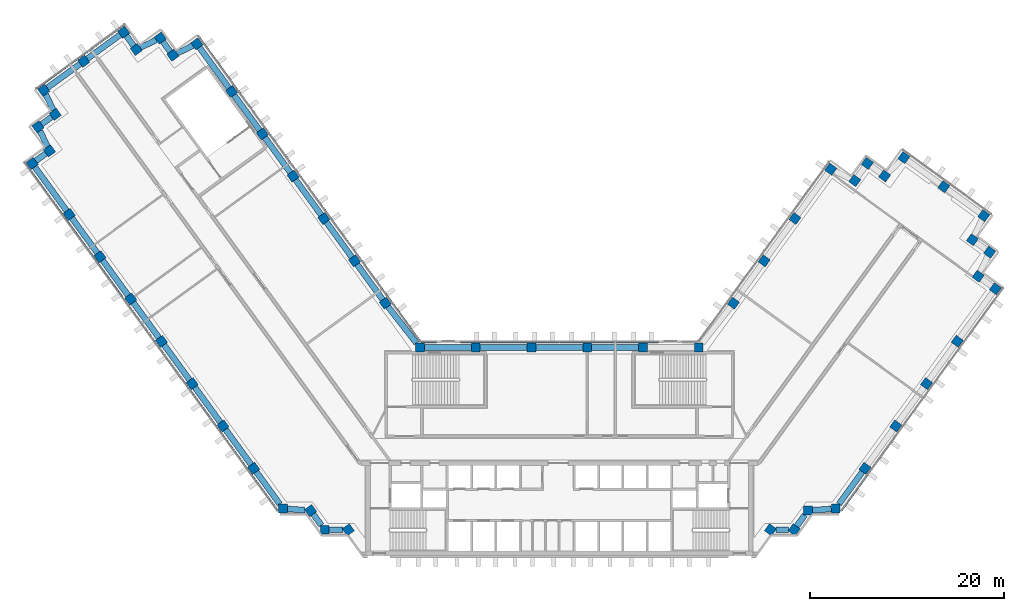
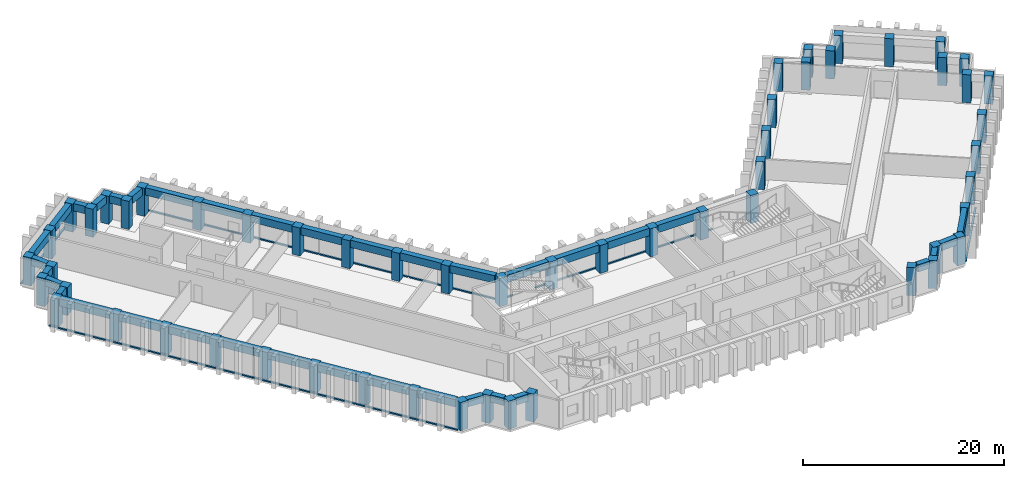
"""IFC4 building model written with IfcOpenShell, lengths in metres."""

from ifc_helpers import new_model, si_unit, direction, frame, origin, origin_2d, place, context, subcontext, project, spatial, rectangle, extrude, material, material_profile, profile_set, type_object, element, aggregate, save


model = new_model("IFC4")

# Units and contexts
model_context = context("Model", 3, precision=1e-05, world=origin(), true_north=direction((0.0, 1.0)))
body_context = subcontext(model_context, "Body", "Model", "MODEL_VIEW")
ifc_project = project(units=[si_unit("LENGTHUNIT", "METRE"), si_unit("AREAUNIT", "SQUARE_METRE"), si_unit("VOLUMEUNIT", "CUBIC_METRE"), si_unit("PLANEANGLEUNIT", "RADIAN"), si_unit("MASSUNIT", "GRAM", prefix="KILO")], contexts=[model_context])

# Site, building, storey
site_placement = place(None, origin())
site = spatial("IfcSite", under=ifc_project, at=site_placement, CompositionType="ELEMENT")
building_placement = place(site_placement, origin())
building = spatial("IfcBuilding", under=site, at=building_placement, Name="Quipu Civic Tower", CompositionType="ELEMENT")
storey_1_placement = place(building_placement, frame((0.0, 0.0, 129.0)))
storey_1 = spatial("IfcBuildingStorey", under=building, at=storey_1_placement, Name="L30", CompositionType="ELEMENT", Elevation=129.0)

# Columns
ifc_material_1 = material(Name="Concrete C60/75", Category="concrete")
ifc_material_profile_1 = material_profile(ifc_material_1, rectangle(XDim=0.89990234375, YDim=0.89990234375, at=origin_2d()), Name="RC900x900")
ifc_profile_set_1 = profile_set([ifc_material_profile_1], Name="Concrete C60/75")
column_type = type_object("IfcColumnType", Name="Perimeter column RC 900x900 C60/75", PredefinedType="COLUMN", material=ifc_profile_set_1)
for number, where, z_axis, x_axis, name in (
    (1, (-17.9736328125, 15.074951171875, 0.0), (0.0, 0.0, 1.0), (-0.587785252292, 0.809016994375, 0.0), "Column L30 W-IN-01"),
    (2, (-21.1474609375, 19.44384765625, 0.0), (0.0, 0.0, 1.0), (-0.587785252292, 0.809016994375, 0.0), "Column L30 W-IN-02"),
    (3, (-24.3212890625, 23.8125, 0.0), (0.0, 0.0, 1.0), (-0.587785252292, 0.809016994375, 0.0), "Column L30 W-IN-03"),
    (4, (-27.4951171875, 28.181396484375, 0.0), (0.0, 0.0, 1.0), (-0.587785252292, 0.809016994375, 0.0), "Column L30 W-IN-04"),
    (5, (-30.6689453125, 32.55029296875, 0.0), (0.0, 0.0, 1.0), (-0.587785252292, 0.809016994375, 0.0), "Column L30 W-IN-05"),
    (6, (-33.843017578125, 36.919189453125, 0.0), (0.0, 0.0, 1.0), (-0.587785252292, 0.809016994375, 0.0), "Column L30 W-IN-06"),
    (7, (-37.425048828125, 41.85009765625, 0.0), (0.0, 0.0, 1.0), (-0.587785252292, 0.809016994375, 0.0), "Column L30 T-Wi.0-W50"),
    (8, (-39.905517578125, 40.666015625, 0.0), (0.0, 0.0, 1.0), (-0.587785252292, 0.809016994375, 0.0), "Column L30 T-Wi.1-W50"),
    (9, (-41.199951171875, 42.445068359375, 0.0), (0.0, 0.0, 1.0), (-0.587785252292, 0.809016994375, 0.0), "Column L30 T-Wi.2-W50"),
    (10, (-43.674560546875, 41.264892578125, 0.0), (0.0, 0.0, 1.0), (-0.809016994375, -0.587785252292, 0.0), "Column L30 T-Wi.3-W50"),
    (11, (-44.969970703125, 43.044921875, 0.0), (0.0, 0.0, 1.0), (-0.809016994375, -0.587785252292, 0.0), "Column L30 T-Wi.4-W50"),
    (12, (-49.095703125, 40.046875, 0.0), (0.0, 0.0, 1.0), (-0.809016994375, -0.587785252292, 0.0), "Column L30 TIP-W-01-W50"),
    (13, (-53.219970703125, 37.050048828125, 0.0), (0.0, 0.0, 1.0), (0.587785252292, -0.809016994375, 0.0), "Column L30 T-Wo.0-W50"),
    (14, (-52.038818359375, 34.571044921875, 0.0), (0.0, 0.0, 1.0), (-0.809016994375, -0.587785252292, 0.0), "Column L30 T-Wo.1-W50"),
    (15, (-53.820068359375, 33.27490234375, 0.0), (0.0, 0.0, 1.0), (0.587785252292, -0.809016994375, 0.0), "Column L30 T-Wo.2-W50"),
    (16, (-52.635986328125, 30.799560546875, 0.0), (0.0, 0.0, 1.0), (-0.809016994375, -0.587785252292, 0.0), "Column L30 T-Wo.3-W50"),
    (17, (-54.4150390625, 29.5048828125, 0.0), (0.0, 0.0, 1.0), (0.587785252292, -0.809016994375, 0.0), "Column L30 T-Wo.4-W50"),
    (18, (-50.59228515625, 24.243408203125, 0.0), (0.0, 0.0, 1.0), (0.587785252292, -0.809016994375, 0.0), "Column L30 W-OUT-07"),
    (19, (-47.41845703125, 19.874755859375, 0.0), (0.0, 0.0, 1.0), (0.587785252292, -0.809016994375, 0.0), "Column L30 W-OUT-06"),
    (20, (-44.244384765625, 15.506103515625, 0.0), (0.0, 0.0, 1.0), (0.587785252292, -0.809016994375, 0.0), "Column L30 W-OUT-05"),
    (21, (-41.0703125, 11.137451171875, 0.0), (0.0, 0.0, 1.0), (0.587785252292, -0.809016994375, 0.0), "Column L30 W-OUT-04"),
    (22, (-37.896240234375, 6.768798828125, 0.0), (0.0, 0.0, 1.0), (0.587785252292, -0.809016994375, 0.0), "Column L30 W-OUT-03"),
    (23, (-34.722412109375, 2.39990234375, 0.0), (0.0, 0.0, 1.0), (0.587785252292, -0.809016994375, 0.0), "Column L30 W-OUT-02"),
    (24, (-31.54833984375, -1.96875, 0.0), (0.0, 0.0, 1.0), (0.587785252292, -0.809016994375, 0.0), "Column L30 W-OUT-01"),
    (25, (-28.52490234375, -6.1298828125, 0.0), (0.0, 0.0, 1.0), (1.0, 0.0, 0.0), "Column L30 J-Wo.0"),
    (26, (-25.67431640625, -6.3369140625, 0.0), (0.0, 0.0, 1.0), (0.587785252292, -0.809016994375, 0.0), "Column L30 J-Wo.1"),
    (27, (-24.235107421875, -8.31494140625, 0.0), (0.0, 0.0, 1.0), (1.0, 0.0, 0.0), "Column L30 J-Wo.2"),
    (28, (-21.791748046875, -8.31494140625, 0.0), (0.0, 0.0, 1.0), (0.587785252292, -0.809016994375, 0.0), "Column L30 J-Wo.3"),
    (29, (21.791748046875, -8.31494140625, 0.0), (0.0, 0.0, 1.0), (0.587785252292, 0.809016994375, 0.0), "Column L30 J-Eo.1"),
    (30, (24.235107421875, -8.31494140625, 0.0), (0.0, 0.0, 1.0), (0.587785252292, 0.809016994375, 0.0), "Column L30 J-Eo.2"),
    (31, (25.67431640625, -6.3369140625, 0.0), (0.0, 0.0, 1.0), (1.0, 0.0, 0.0), "Column L30 J-Eo.3"),
    (32, (28.52490234375, -6.1298828125, 0.0), (0.0, 0.0, 1.0), (1.0, 0.0, 0.0), "Column L30 J-Eo.4"),
    (33, (31.54833984375, -1.96875, 0.0), (0.0, 0.0, 1.0), (0.587785252292, 0.809016994375, 0.0), "Column L30 E-OUT-01"),
    (34, (34.722412109375, 2.39990234375, 0.0), (0.0, 0.0, 1.0), (0.587785252292, 0.809016994375, 0.0), "Column L30 E-OUT-02"),
    (35, (37.896240234375, 6.768798828125, 0.0), (0.0, 0.0, 1.0), (0.587785252292, 0.809016994375, 0.0), "Column L30 E-OUT-03"),
    (36, (41.0703125, 11.137451171875, 0.0), (0.0, 0.0, 1.0), (0.587785252292, 0.809016994375, 0.0), "Column L30 E-OUT-04"),
    (37, (45.010009765625, 16.56005859375, 0.0), (0.0, 0.0, 1.0), (0.587785252292, 0.809016994375, 0.0), "Column L30 T-Eo.0-E34"),
    (38, (43.23095703125, 17.8544921875, 0.0), (0.0, 0.0, 1.0), (0.587785252292, 0.809016994375, 0.0), "Column L30 T-Eo.1-E34"),
    (39, (44.4150390625, 20.3349609375, 0.0), (0.0, 0.0, 1.0), (0.587785252292, 0.809016994375, 0.0), "Column L30 T-Eo.2-E34"),
    (40, (42.635009765625, 21.626220703125, 0.0), (0.0, 0.0, 1.0), (-0.809016994375, 0.587785252292, 0.0), "Column L30 T-Eo.3-E34"),
    (41, (43.81494140625, 24.10498046875, 0.0), (0.0, 0.0, 1.0), (-0.809016994375, 0.587785252292, 0.0), "Column L30 T-Eo.4-E34"),
    (42, (39.690673828125, 27.10205078125, 0.0), (0.0, 0.0, 1.0), (-0.809016994375, 0.587785252292, 0.0), "Column L30 TIP-E-01-E34"),
    (43, (35.56494140625, 30.10009765625, 0.0), (0.0, 0.0, 1.0), (-0.587785252292, -0.809016994375, 0.0), "Column L30 T-Ei.0-E34"),
    (44, (33.573974609375, 28.20947265625, 0.0), (0.0, 0.0, 1.0), (-0.809016994375, 0.587785252292, 0.0), "Column L30 T-Ei.1-E34"),
    (45, (31.794921875, 29.5, 0.0), (0.0, 0.0, 1.0), (-0.587785252292, -0.809016994375, 0.0), "Column L30 T-Ei.2-E34"),
    (46, (30.498779296875, 27.72265625, 0.0), (0.0, 0.0, 1.0), (-0.809016994375, 0.587785252292, 0.0), "Column L30 T-Ei.3-E34"),
    (47, (28.02001953125, 28.905029296875, 0.0), (0.0, 0.0, 1.0), (-0.809016994375, 0.587785252292, 0.0), "Column L30 T-Ei.4-E34"),
    (48, (24.3212890625, 23.8125, 0.0), (0.0, 0.0, 1.0), (-0.587785252292, -0.809016994375, 0.0), "Column L30 E-IN-03"),
    (49, (21.1474609375, 19.44384765625, 0.0), (0.0, 0.0, 1.0), (-0.587785252292, -0.809016994375, 0.0), "Column L30 E-IN-02"),
    (50, (17.9736328125, 15.074951171875, 0.0), (0.0, 0.0, 1.0), (-0.587785252292, -0.809016994375, 0.0), "Column L30 E-IN-01"),
    (51, (14.395263671875, 10.5, 0.0), (0.0, 0.0, 1.0), (-1.0, 0.0, 0.0), "Column L30 J-Ei.0"),
    (52, (8.63720703125, 10.5, 0.0), (0.0, 0.0, 1.0), (-1.0, 0.0, 0.0), "Column L30 FRONT-01"),
    (53, (2.87890625, 10.5, 0.0), (0.0, 0.0, 1.0), (-1.0, 0.0, 0.0), "Column L30 FRONT-02"),
    (54, (-2.87890625, 10.5, 0.0), (0.0, 0.0, 1.0), (-1.0, 0.0, 0.0), "Column L30 FRONT-03"),
    (55, (-8.63720703125, 10.5, 0.0), (0.0, 0.0, 1.0), (-1.0, 0.0, 0.0), "Column L30 FRONT-04"),
    (56, (-14.395263671875, 10.5, 0.0), (0.0, 0.0, 1.0), (-1.0, 0.0, 0.0), "Column L30 J-Wi.0"),
):
    element("IfcColumn", number, at=place(storey_1_placement, frame(where, z_axis=z_axis, x_axis=x_axis)), inside=storey_1, type_object=column_type, Name=name, PredefinedType="COLUMN", context=body_context, shape_type="SweptSolid", body=[
        extrude(rectangle(XDim=0.89990234375, YDim=0.89990234375, at=origin_2d()), origin(), (0.0, 0.0, 1.0), 3.39990234375),
    ])

# Beams
ifc_material_2 = material(Name="Concrete C50/60", Category="concrete")
ifc_material_profile_2 = material_profile(ifc_material_2, rectangle(XDim=0.60009765625, YDim=0.89990234375, at=origin_2d()), Name="RC600x900")
ifc_profile_set_2 = profile_set([ifc_material_profile_2], Name="Concrete C50/60")
beam_type = type_object("IfcBeamType", Name="Spandrel beam RC 600x900 C50/60", PredefinedType="SPANDREL", material=ifc_profile_set_2)
for number, where, z_axis, x_axis, name in (
    (57, (-18.238037109375, 15.43896484375, 2.949951171875), (-0.587716763865, 0.809066749701, 0.0), (-0.809066749701, -0.587716763865, 0.0), "Spandrel beam L30 W-IN-01 to W-IN-02"),
    (58, (-21.411865234375, 19.807861328125, 2.949951171875), (-0.587778073121, 0.809022210299, 0.0), (-0.809022210299, -0.587778073121, 0.0), "Spandrel beam L30 W-IN-02 to W-IN-03"),
    (59, (-24.585693359375, 24.1767578125, 2.949951171875), (-0.587778073121, 0.809022210299, 0.0), (-0.809022210299, -0.587778073121, 0.0), "Spandrel beam L30 W-IN-03 to W-IN-04"),
    (60, (-27.759765625, 28.545654296875, 2.949951171875), (-0.587742561851, 0.809048009076, 0.0), (-0.809048009076, -0.587742561851, 0.0), "Spandrel beam L30 W-IN-04 to W-IN-05"),
    (61, (-30.93359375, 32.914306640625, 2.949951171875), (-0.587716763865, 0.809066749701, 0.0), (-0.809066749701, -0.587716763865, 0.0), "Spandrel beam L30 W-IN-05 to W-IN-06"),
):
    element("IfcBeam", number, at=place(storey_1_placement, frame(where, z_axis=z_axis, x_axis=x_axis)), inside=storey_1, type_object=beam_type, Name=name, PredefinedType="SPANDREL", context=body_context, shape_type="SweptSolid", body=[
        extrude(rectangle(XDim=0.60009765625, YDim=0.89990234375, at=origin_2d()), origin(), (0.0, 0.0, 1.0), 4.5),
    ])
beam_1_placement = place(storey_1_placement, frame((-34.107421875, 37.283203125, 2.949951171875), z_axis=(-0.587732861365, 0.80905505602, 0.0), x_axis=(-0.80905505602, -0.587732861365, 0.0)))
element("IfcBeam", 62, at=beam_1_placement, inside=storey_1, type_object=beam_type, Name="Spandrel beam L30 W-IN-06 to T-Wi.0-W50", PredefinedType="SPANDREL", context=body_context, shape_type="SweptSolid", body=[
    extrude(rectangle(XDim=0.60009765625, YDim=0.89990234375, at=origin_2d()), origin(), (0.0, 0.0, 1.0), 5.194580078125),
])
beam_2_placement = place(storey_1_placement, frame((-37.837890625, 41.65283203125, 2.949951171875), z_axis=(-0.90245397739, -0.430786279601, 0.0), x_axis=(0.430786279601, -0.90245397739, 0.0)))
element("IfcBeam", 63, at=beam_2_placement, inside=storey_1, type_object=beam_type, Name="Spandrel beam L30 T-Wi.0-W50 to T-Wi.1-W50", PredefinedType="SPANDREL", context=body_context, shape_type="SweptSolid", body=[
    extrude(rectangle(XDim=0.60009765625, YDim=0.89990234375, at=origin_2d()), origin(), (0.0, 0.0, 1.0), 1.83349609375),
])
beam_3_placement = place(storey_1_placement, frame((-40.170166015625, 41.02978515625, 2.949951171875), z_axis=(-0.588461937499, 0.808524921146, 0.0), x_axis=(-0.808524921146, -0.588461937499, 0.0)))
element("IfcBeam", 64, at=beam_3_placement, inside=storey_1, type_object=beam_type, Name="Spandrel beam L30 T-Wi.1-W50 to T-Wi.2-W50", PredefinedType="SPANDREL", context=body_context, shape_type="SweptSolid", body=[
    extrude(rectangle(XDim=0.60009765625, YDim=0.89990234375, at=origin_2d()), origin(), (0.0, 0.0, 1.0), 1.30029296875),
])
beam_4_placement = place(storey_1_placement, frame((-41.613037109375, 42.248046875, 2.949951171875), z_axis=(-0.902613270121, -0.430452418511, 0.0), x_axis=(0.430452418511, -0.902613270121, 0.0)))
element("IfcBeam", 65, at=beam_4_placement, inside=storey_1, type_object=beam_type, Name="Spandrel beam L30 T-Wi.2-W50 to T-Wi.3-W50", PredefinedType="SPANDREL", context=body_context, shape_type="SweptSolid", body=[
    extrude(rectangle(XDim=0.60009765625, YDim=0.89990234375, at=origin_2d()), origin(), (0.0, 0.0, 1.0), 1.826416015625),
])
beam_5_placement = place(storey_1_placement, frame((-43.939453125, 41.628662109375, 2.949951171875), z_axis=(-0.588383572423, 0.808581951136, 0.0), x_axis=(-0.808581951136, -0.588383572423, 0.0)))
element("IfcBeam", 66, at=beam_5_placement, inside=storey_1, type_object=beam_type, Name="Spandrel beam L30 T-Wi.3-W50 to T-Wi.4-W50", PredefinedType="SPANDREL", context=body_context, shape_type="SweptSolid", body=[
    extrude(rectangle(XDim=0.60009765625, YDim=0.89990234375, at=origin_2d()), origin(), (0.0, 0.0, 1.0), 1.3017578125),
])
beam_6_placement = place(storey_1_placement, frame((-45.333984375, 42.780517578125, 2.949951171875), z_axis=(-0.808969789945, -0.58785021813, 0.0), x_axis=(0.58785021813, -0.808969789945, 0.0)))
element("IfcBeam", 67, at=beam_6_placement, inside=storey_1, type_object=beam_type, Name="Spandrel beam L30 T-Wi.4-W50 to TIP-W-01-W50", PredefinedType="SPANDREL", context=body_context, shape_type="SweptSolid", body=[
    extrude(rectangle(XDim=0.60009765625, YDim=0.89990234375, at=origin_2d()), origin(), (0.0, 0.0, 1.0), 4.199951171875),
])
beam_7_placement = place(storey_1_placement, frame((-49.459716796875, 39.782470703125, 2.949951171875), z_axis=(-0.808959834407, -0.587863918196, 0.0), x_axis=(0.587863918196, -0.808959834407, 0.0)))
element("IfcBeam", 68, at=beam_7_placement, inside=storey_1, type_object=beam_type, Name="Spandrel beam L30 TIP-W-01-W50 to T-Wo.0-W50", PredefinedType="SPANDREL", context=body_context, shape_type="SweptSolid", body=[
    extrude(rectangle(XDim=0.60009765625, YDim=0.89990234375, at=origin_2d()), origin(), (0.0, 0.0, 1.0), 4.1982421875),
])
beam_8_placement = place(storey_1_placement, frame((-53.023193359375, 36.63671875, 2.949951171875), z_axis=(0.430166558323, -0.902749540072, 0.0), x_axis=(0.902749540072, 0.430166558323, 0.0)))
element("IfcBeam", 69, at=beam_8_placement, inside=storey_1, type_object=beam_type, Name="Spandrel beam L30 T-Wo.0-W50 to T-Wo.1-W50", PredefinedType="SPANDREL", context=body_context, shape_type="SweptSolid", body=[
    extrude(rectangle(XDim=0.60009765625, YDim=0.89990234375, at=origin_2d()), origin(), (0.0, 0.0, 1.0), 1.830322265625),
])
beam_9_placement = place(storey_1_placement, frame((-52.40283203125, 34.306396484375, 2.949951171875), z_axis=(-0.808509099783, -0.588483674853, 0.0), x_axis=(0.588483674853, -0.808509099783, 0.0)))
element("IfcBeam", 70, at=beam_9_placement, inside=storey_1, type_object=beam_type, Name="Spandrel beam L30 T-Wo.1-W50 to T-Wo.2-W50", PredefinedType="SPANDREL", context=body_context, shape_type="SweptSolid", body=[
    extrude(rectangle(XDim=0.60009765625, YDim=0.89990234375, at=origin_2d()), origin(), (0.0, 0.0, 1.0), 1.302734375),
])
beam_10_placement = place(storey_1_placement, frame((-53.62255859375, 32.8623046875, 2.949951171875), z_axis=(0.431446050156, -0.902138739776, 0.0), x_axis=(0.902138739776, 0.431446050156, 0.0)))
element("IfcBeam", 71, at=beam_10_placement, inside=storey_1, type_object=beam_type, Name="Spandrel beam L30 T-Wo.2-W50 to T-Wo.3-W50", PredefinedType="SPANDREL", context=body_context, shape_type="SweptSolid", body=[
    extrude(rectangle(XDim=0.60009765625, YDim=0.89990234375, at=origin_2d()), origin(), (0.0, 0.0, 1.0), 1.828857421875),
])
beam_11_placement = place(storey_1_placement, frame((-53.0, 30.53466796875, 2.949951171875), z_axis=(-0.808549242423, -0.588428519514, 0.0), x_axis=(0.588428519514, -0.808549242423, 0.0)))
element("IfcBeam", 72, at=beam_11_placement, inside=storey_1, type_object=beam_type, Name="Spandrel beam L30 T-Wo.3-W50 to T-Wo.4-W50", PredefinedType="SPANDREL", context=body_context, shape_type="SweptSolid", body=[
    extrude(rectangle(XDim=0.60009765625, YDim=0.89990234375, at=origin_2d()), origin(), (0.0, 0.0, 1.0), 1.2998046875),
])
beam_12_placement = place(storey_1_placement, frame((-54.150390625, 29.140869140625, 2.949951171875), z_axis=(0.587772657145, -0.809026145135, 0.0), x_axis=(0.809026145135, 0.587772657145, 0.0)))
element("IfcBeam", 73, at=beam_12_placement, inside=storey_1, type_object=beam_type, Name="Spandrel beam L30 T-Wo.4-W50 to W-OUT-07", PredefinedType="SPANDREL", context=body_context, shape_type="SweptSolid", body=[
    extrude(rectangle(XDim=0.60009765625, YDim=0.89990234375, at=origin_2d()), origin(), (0.0, 0.0, 1.0), 5.603271484375),
])
beam_13_placement = place(storey_1_placement, frame((-50.327880859375, 23.87939453125, 2.949951171875), z_axis=(0.587778073121, -0.809022210299, 0.0), x_axis=(0.809022210299, 0.587778073121, 0.0)))
element("IfcBeam", 74, at=beam_13_placement, inside=storey_1, type_object=beam_type, Name="Spandrel beam L30 W-OUT-07 to W-OUT-06", PredefinedType="SPANDREL", context=body_context, shape_type="SweptSolid", body=[
    extrude(rectangle(XDim=0.60009765625, YDim=0.89990234375, at=origin_2d()), origin(), (0.0, 0.0, 1.0), 4.5),
])
beam_14_placement = place(storey_1_placement, frame((-47.15380859375, 19.5107421875, 2.949951171875), z_axis=(0.587803872688, -0.809003465539, 0.0), x_axis=(0.809003465539, 0.587803872688, 0.0)))
element("IfcBeam", 75, at=beam_14_placement, inside=storey_1, type_object=beam_type, Name="Spandrel beam L30 W-OUT-06 to W-OUT-05", PredefinedType="SPANDREL", context=body_context, shape_type="SweptSolid", body=[
    extrude(rectangle(XDim=0.60009765625, YDim=0.89990234375, at=origin_2d()), origin(), (0.0, 0.0, 1.0), 4.499755859375),
])
for number, where, z_axis, x_axis, name in (
    (76, (-43.97998046875, 15.14208984375, 2.949951171875), (0.587778073121, -0.809022210299, 0.0), (0.809022210299, 0.587778073121, 0.0), "Spandrel beam L30 W-OUT-05 to W-OUT-04"),
    (77, (-40.805908203125, 10.7734375, 2.949951171875), (0.587778073121, -0.809022210299, 0.0), (0.809022210299, 0.587778073121, 0.0), "Spandrel beam L30 W-OUT-04 to W-OUT-03"),
):
    element("IfcBeam", number, at=place(storey_1_placement, frame(where, z_axis=z_axis, x_axis=x_axis)), inside=storey_1, type_object=beam_type, Name=name, PredefinedType="SPANDREL", context=body_context, shape_type="SweptSolid", body=[
        extrude(rectangle(XDim=0.60009765625, YDim=0.89990234375, at=origin_2d()), origin(), (0.0, 0.0, 1.0), 4.5),
    ])
beam_15_placement = place(storey_1_placement, frame((-37.6318359375, 6.404541015625, 2.949951171875), z_axis=(0.587803872688, -0.809003465539, 0.0), x_axis=(0.809003465539, 0.587803872688, 0.0)))
element("IfcBeam", 78, at=beam_15_placement, inside=storey_1, type_object=beam_type, Name="Spandrel beam L30 W-OUT-03 to W-OUT-02", PredefinedType="SPANDREL", context=body_context, shape_type="SweptSolid", body=[
    extrude(rectangle(XDim=0.60009765625, YDim=0.89990234375, at=origin_2d()), origin(), (0.0, 0.0, 1.0), 4.499755859375),
])
beam_16_placement = place(storey_1_placement, frame((-34.457763671875, 2.035888671875, 2.949951171875), z_axis=(0.587778073121, -0.809022210299, 0.0), x_axis=(0.809022210299, 0.587778073121, 0.0)))
element("IfcBeam", 79, at=beam_16_placement, inside=storey_1, type_object=beam_type, Name="Spandrel beam L30 W-OUT-02 to W-OUT-01", PredefinedType="SPANDREL", context=body_context, shape_type="SweptSolid", body=[
    extrude(rectangle(XDim=0.60009765625, YDim=0.89990234375, at=origin_2d()), origin(), (0.0, 0.0, 1.0), 4.5),
])
beam_17_placement = place(storey_1_placement, frame((-31.28369140625, -2.332763671875, 2.949951171875), z_axis=(0.587750565781, -0.809042194464, 0.0), x_axis=(0.809042194464, 0.587750565781, 0.0)))
element("IfcBeam", 80, at=beam_17_placement, inside=storey_1, type_object=beam_type, Name="Spandrel beam L30 W-OUT-01 to J-Wo.0", PredefinedType="SPANDREL", context=body_context, shape_type="SweptSolid", body=[
    extrude(rectangle(XDim=0.60009765625, YDim=0.89990234375, at=origin_2d()), origin(), (0.0, 0.0, 1.0), 4.13720703125),
])
beam_18_placement = place(storey_1_placement, frame((-28.074951171875, -6.16259765625, 2.949951171875), z_axis=(0.997367229877, -0.072516265536, 0.0), x_axis=(0.072516265536, 0.997367229877, 0.0)))
element("IfcBeam", 81, at=beam_18_placement, inside=storey_1, type_object=beam_type, Name="Spandrel beam L30 J-Wo.0 to J-Wo.1", PredefinedType="SPANDREL", context=body_context, shape_type="SweptSolid", body=[
    extrude(rectangle(XDim=0.60009765625, YDim=0.89990234375, at=origin_2d()), origin(), (0.0, 0.0, 1.0), 1.818115234375),
])
beam_19_placement = place(storey_1_placement, frame((-25.40966796875, -6.700927734375, 2.949951171875), z_axis=(0.588433824377, -0.808545381738, 0.0), x_axis=(0.808545381738, 0.588433824377, 0.0)))
element("IfcBeam", 82, at=beam_19_placement, inside=storey_1, type_object=beam_type, Name="Spandrel beam L30 J-Wo.1 to J-Wo.2", PredefinedType="SPANDREL", context=body_context, shape_type="SweptSolid", body=[
    extrude(rectangle(XDim=0.60009765625, YDim=0.89990234375, at=origin_2d()), origin(), (0.0, 0.0, 1.0), 1.439697265625),
])
beam_20_placement = place(storey_1_placement, frame((-23.784912109375, -8.31494140625, 2.949951171875), z_axis=(1.0, 0.0, 0.0), x_axis=(0.0, 1.0, 0.0)))
element("IfcBeam", 83, at=beam_20_placement, inside=storey_1, type_object=beam_type, Name="Spandrel beam L30 J-Wo.2 to J-Wo.3", PredefinedType="SPANDREL", context=body_context, shape_type="SweptSolid", body=[
    extrude(rectangle(XDim=0.60009765625, YDim=0.89990234375, at=origin_2d()), origin(), (0.0, 0.0, 1.0), 1.436767578125),
])
beam_21_placement = place(storey_1_placement, frame((22.34814453125, -8.31494140625, 2.949951171875), z_axis=(1.0, 0.0, 0.0), x_axis=(0.0, 1.0, 0.0)))
element("IfcBeam", 84, at=beam_21_placement, inside=storey_1, type_object=beam_type, Name="Spandrel beam L30 J-Eo.1 to J-Eo.2", PredefinedType="SPANDREL", context=body_context, shape_type="SweptSolid", body=[
    extrude(rectangle(XDim=0.60009765625, YDim=0.89990234375, at=origin_2d()), origin(), (0.0, 0.0, 1.0), 1.33056640625),
])
beam_22_placement = place(storey_1_placement, frame((24.499755859375, -7.951171875, 2.949951171875), z_axis=(0.588433824377, 0.808545381738, 0.0), x_axis=(-0.808545381738, 0.588433824377, 0.0)))
element("IfcBeam", 85, at=beam_22_placement, inside=storey_1, type_object=beam_type, Name="Spandrel beam L30 J-Eo.2 to J-Eo.3", PredefinedType="SPANDREL", context=body_context, shape_type="SweptSolid", body=[
    extrude(rectangle(XDim=0.60009765625, YDim=0.89990234375, at=origin_2d()), origin(), (0.0, 0.0, 1.0), 1.439697265625),
])
beam_23_placement = place(storey_1_placement, frame((26.12451171875, -6.304443359375, 2.949951171875), z_axis=(0.997365981169, 0.072533437859, 0.0), x_axis=(-0.072533437859, 0.997365981169, 0.0)))
element("IfcBeam", 86, at=beam_23_placement, inside=storey_1, type_object=beam_type, Name="Spandrel beam L30 J-Eo.3 to J-Eo.4", PredefinedType="SPANDREL", context=body_context, shape_type="SweptSolid", body=[
    extrude(rectangle(XDim=0.60009765625, YDim=0.89990234375, at=origin_2d()), origin(), (0.0, 0.0, 1.0), 1.95556640625),
])
beam_24_placement = place(storey_1_placement, frame((28.85205078125, -5.679931640625, 2.949951171875), z_axis=(0.587750565781, 0.809042194464, 0.0), x_axis=(-0.809042194464, 0.587750565781, 0.0)))
element("IfcBeam", 87, at=beam_24_placement, inside=storey_1, type_object=beam_type, Name="Spandrel beam L30 J-Eo.4 to E-OUT-01", PredefinedType="SPANDREL", context=body_context, shape_type="SweptSolid", body=[
    extrude(rectangle(XDim=0.60009765625, YDim=0.89990234375, at=origin_2d()), origin(), (0.0, 0.0, 1.0), 4.13720703125),
])
for number, where, z_axis, x_axis, name in (
    (88, (8.18701171875, 10.5, 2.949951171875), (-1.0, 0.0, 0.0), (0.0, -1.0, 0.0), "Spandrel beam L30 FRONT-01 to FRONT-02"),
    (89, (2.428955078125, 10.5, 2.949951171875), (-1.0, 0.0, 0.0), (0.0, -1.0, 0.0), "Spandrel beam L30 FRONT-02 to FRONT-03"),
    (90, (-3.3291015625, 10.5, 2.949951171875), (-1.0, 0.0, 0.0), (0.0, -1.0, 0.0), "Spandrel beam L30 FRONT-03 to FRONT-04"),
):
    element("IfcBeam", number, at=place(storey_1_placement, frame(where, z_axis=z_axis, x_axis=x_axis)), inside=storey_1, type_object=beam_type, Name=name, PredefinedType="SPANDREL", context=body_context, shape_type="SweptSolid", body=[
        extrude(rectangle(XDim=0.60009765625, YDim=0.89990234375, at=origin_2d()), origin(), (0.0, 0.0, 1.0), 4.85791015625),
    ])
beam_25_placement = place(storey_1_placement, frame((-9.087158203125, 10.5, 2.949951171875), z_axis=(-1.0, 0.0, 0.0), x_axis=(0.0, -1.0, 0.0)))
element("IfcBeam", 91, at=beam_25_placement, inside=storey_1, type_object=beam_type, Name="Spandrel beam L30 FRONT-04 to J-Wi.0", PredefinedType="SPANDREL", context=body_context, shape_type="SweptSolid", body=[
    extrude(rectangle(XDim=0.60009765625, YDim=0.89990234375, at=origin_2d()), origin(), (0.0, 0.0, 1.0), 4.858154296875),
])
beam_26_placement = place(storey_1_placement, frame((-14.7470703125, 10.949951171875, 2.949951171875), z_axis=(-0.616123961998, 0.787649200756, 0.0), x_axis=(-0.787649200756, -0.616123961998, 0.0)))
element("IfcBeam", 92, at=beam_26_placement, inside=storey_1, type_object=beam_type, Name="Spandrel beam L30 J-Wi.0 to W-IN-01", PredefinedType="SPANDREL", context=body_context, shape_type="SweptSolid", body=[
    extrude(rectangle(XDim=0.60009765625, YDim=0.89990234375, at=origin_2d()), origin(), (0.0, 0.0, 1.0), 4.78662109375),
])

# Storey
storey_2_placement = place(building_placement, frame((0.0, 0.0, 125.0)))
storey_2 = spatial("IfcBuildingStorey", under=building, at=storey_2_placement, Name="L29", CompositionType="ELEMENT", Elevation=125.0)

# Curtain wall, members
ifc_material_3 = material(Name="Insulated glass unit", Category="glass")
curtain_wall_type = type_object("IfcCurtainWallType", Name="Office curtain wall CW1", PredefinedType="NOTDEFINED", material=ifc_material_3)
curtain_wall_1_placement = place(storey_2_placement, origin())
curtain_wall_1 = element("IfcCurtainWall", 93, at=curtain_wall_1_placement, inside=storey_2, type_object=curtain_wall_type, Name="Office curtain wall CW1 L28 run 1", PredefinedType="NOTDEFINED")
ifc_material_4 = material(Name="Anodised aluminium", Category="aluminium")
ifc_material_profile_3 = material_profile(ifc_material_4, rectangle(XDim=0.199951171875, YDim=0.159912109375, at=origin_2d()), Name="RECT 200x160")
ifc_profile_set_3 = profile_set([ifc_material_profile_3], Name="Anodised aluminium")
member_type = type_object("IfcMemberType", Name="Transom CW1", PredefinedType="USERDEFINED", material=ifc_profile_set_3)
member_1_placement = place(storey_1_placement, frame((-14.39111328125, 11.164794921875, 0.080078125), z_axis=(-0.58779220199, 0.809011945079, 0.0), x_axis=(-0.809011945079, -0.58779220199, 0.0)))
member_1 = element("IfcMember", 94, at=member_1_placement, inside=storey_1, type_object=member_type, Name="CW1 transom 1.3", ObjectType="TRANSOM", PredefinedType="USERDEFINED", context=body_context, shape_type="SweptSolid", body=[
    extrude(rectangle(XDim=0.199951171875, YDim=0.159912109375, at=origin_2d()), origin(), (0.0, 0.0, 1.0), 9.64111328125),
])
member_2_placement = place(storey_1_placement, frame((-20.105224609375, 19.029296875, 0.080078125), z_axis=(-0.587793764301, 0.80901080997, 0.0), x_axis=(-0.80901080997, -0.587793764301, 0.0)))
member_2 = element("IfcMember", 95, at=member_2_placement, inside=storey_1, type_object=member_type, Name="CW1 transom 2.3", ObjectType="TRANSOM", PredefinedType="USERDEFINED", context=body_context, shape_type="SweptSolid", body=[
    extrude(rectangle(XDim=0.199951171875, YDim=0.159912109375, at=origin_2d()), origin(), (0.0, 0.0, 1.0), 9.680908203125),
])
member_3_placement = place(storey_1_placement, frame((-25.842529296875, 26.926025390625, 0.080078125), z_axis=(-0.58778177227, 0.809019522748, 0.0), x_axis=(-0.809019522748, -0.58778177227, 0.0)))
member_3 = element("IfcMember", 96, at=member_3_placement, inside=storey_1, type_object=member_type, Name="CW1 transom 3.3", ObjectType="TRANSOM", PredefinedType="USERDEFINED", context=body_context, shape_type="SweptSolid", body=[
    extrude(rectangle(XDim=0.199951171875, YDim=0.159912109375, at=origin_2d()), origin(), (0.0, 0.0, 1.0), 9.68115234375),
])
member_4_placement = place(storey_1_placement, frame((-31.580078125, 34.822998046875, 0.080078125), z_axis=(-0.587775627857, 0.809023986849, 0.0), x_axis=(-0.809023986849, -0.587775627857, 0.0)))
member_4 = element("IfcMember", 97, at=member_4_placement, inside=storey_1, type_object=member_type, Name="CW1 transom 4.3", ObjectType="TRANSOM", PredefinedType="USERDEFINED", context=body_context, shape_type="SweptSolid", body=[
    extrude(rectangle(XDim=0.199951171875, YDim=0.159912109375, at=origin_2d()), origin(), (0.0, 0.0, 1.0), 9.64111328125),
])
aggregate(curtain_wall_1, [member_1, member_2, member_3, member_4])

# Curtain wall, member
curtain_wall_2_placement = place(storey_2_placement, origin())
curtain_wall_2 = element("IfcCurtainWall", 98, at=curtain_wall_2_placement, inside=storey_2, type_object=curtain_wall_type, Name="Office curtain wall CW1 L28 run 6", PredefinedType="NOTDEFINED")
member_5_placement = place(storey_1_placement, frame((-44.9013671875, 43.8349609375, 0.080078125), z_axis=(-0.809032792449, -0.587763507495, 0.0), x_axis=(0.587763507495, -0.809032792449, 0.0)))
member_5 = element("IfcMember", 99, at=member_5_placement, inside=storey_1, type_object=member_type, Name="CW1 transom 1.3", ObjectType="TRANSOM", PredefinedType="USERDEFINED", context=body_context, shape_type="SweptSolid", body=[
    extrude(rectangle(XDim=0.199951171875, YDim=0.159912109375, at=origin_2d()), origin(), (0.0, 0.0, 1.0), 11.239990234375),
])
aggregate(curtain_wall_2, [member_5])

# Curtain wall, members
curtain_wall_3_placement = place(storey_2_placement, origin())
curtain_wall_3 = element("IfcCurtainWall", 100, at=curtain_wall_3_placement, inside=storey_2, type_object=curtain_wall_type, Name="Office curtain wall CW1 L28 run 11", PredefinedType="NOTDEFINED")
member_6_placement = place(storey_1_placement, frame((-55.20703125, 29.573974609375, 0.080078125), z_axis=(0.587779179422, -0.809021406539, 0.0), x_axis=(0.809021406539, 0.587779179422, 0.0)))
member_6 = element("IfcMember", 101, at=member_6_placement, inside=storey_1, type_object=member_type, Name="CW1 transom 1.3", ObjectType="TRANSOM", PredefinedType="USERDEFINED", context=body_context, shape_type="SweptSolid", body=[
    extrude(rectangle(XDim=0.199951171875, YDim=0.159912109375, at=origin_2d()), origin(), (0.0, 0.0, 1.0), 11.02294921875),
])
member_7_placement = place(storey_1_placement, frame((-48.68115234375, 20.591552734375, 0.080078125), z_axis=(0.587795037589, -0.80900988485, 0.0), x_axis=(0.80900988485, 0.587795037589, 0.0)))
member_7 = element("IfcMember", 102, at=member_7_placement, inside=storey_1, type_object=member_type, Name="CW1 transom 2.3", ObjectType="TRANSOM", PredefinedType="USERDEFINED", context=body_context, shape_type="SweptSolid", body=[
    extrude(rectangle(XDim=0.199951171875, YDim=0.159912109375, at=origin_2d()), origin(), (0.0, 0.0, 1.0), 11.062744140625),
])
member_8_placement = place(storey_1_placement, frame((-42.131591796875, 11.576904296875, 0.080078125), z_axis=(0.587795037589, -0.80900988485, 0.0), x_axis=(0.80900988485, 0.587795037589, 0.0)))
member_8 = element("IfcMember", 103, at=member_8_placement, inside=storey_1, type_object=member_type, Name="CW1 transom 3.3", ObjectType="TRANSOM", PredefinedType="USERDEFINED", context=body_context, shape_type="SweptSolid", body=[
    extrude(rectangle(XDim=0.199951171875, YDim=0.159912109375, at=origin_2d()), origin(), (0.0, 0.0, 1.0), 11.062744140625),
])
member_9_placement = place(storey_1_placement, frame((-35.58203125, 2.562255859375, 0.080078125), z_axis=(0.587779179422, -0.809021406539, 0.0), x_axis=(0.809021406539, 0.587779179422, 0.0)))
member_9 = element("IfcMember", 104, at=member_9_placement, inside=storey_1, type_object=member_type, Name="CW1 transom 4.3", ObjectType="TRANSOM", PredefinedType="USERDEFINED", context=body_context, shape_type="SweptSolid", body=[
    extrude(rectangle(XDim=0.199951171875, YDim=0.159912109375, at=origin_2d()), origin(), (0.0, 0.0, 1.0), 11.02294921875),
])
aggregate(curtain_wall_3, [member_6, member_7, member_8, member_9])

# Curtain wall, member
curtain_wall_4_placement = place(storey_2_placement, origin())
curtain_wall_4 = element("IfcCurtainWall", 105, at=curtain_wall_4_placement, inside=storey_2, type_object=curtain_wall_type, Name="Office curtain wall CW1 L28 run 23", PredefinedType="NOTDEFINED")
member_10_placement = place(storey_1_placement, frame((29.10302734375, -6.35546875, 0.080078125), z_axis=(0.58777644589, 0.809023392528, 0.0), x_axis=(-0.809023392528, 0.58777644589, 0.0)))
member_10 = element("IfcMember", 106, at=member_10_placement, inside=storey_1, type_object=member_type, Name="CW1 transom 1.3", ObjectType="TRANSOM", PredefinedType="USERDEFINED", context=body_context, shape_type="SweptSolid", body=[
    extrude(rectangle(XDim=0.199951171875, YDim=0.159912109375, at=origin_2d()), origin(), (0.0, 0.0, 1.0), 9.40380859375),
])
aggregate(curtain_wall_4, [member_10])

# Curtain wall, members
curtain_wall_5_placement = place(storey_2_placement, origin())
curtain_wall_5 = element("IfcCurtainWall", 107, at=curtain_wall_5_placement, inside=storey_2, type_object=curtain_wall_type, Name="Office curtain wall CW1 L28 run 33", PredefinedType="NOTDEFINED")
member_11_placement = place(storey_1_placement, frame((10.18359375, 11.10009765625, 0.080078125), z_axis=(-1.0, 0.0, 0.0), x_axis=(0.0, -1.0, 0.0)))
member_11 = element("IfcMember", 108, at=member_11_placement, inside=storey_1, type_object=member_type, Name="CW1 transom 1.3", ObjectType="TRANSOM", PredefinedType="USERDEFINED", context=body_context, shape_type="SweptSolid", body=[
    extrude(rectangle(XDim=0.199951171875, YDim=0.159912109375, at=origin_2d()), origin(), (0.0, 0.0, 1.0), 10.1435546875),
])
member_12_placement = place(storey_1_placement, frame((-0.0400390625, 11.10009765625, 0.080078125), z_axis=(-1.0, 0.0, 0.0), x_axis=(0.0, -1.0, 0.0)))
member_12 = element("IfcMember", 109, at=member_12_placement, inside=storey_1, type_object=member_type, Name="CW1 transom 2.3", ObjectType="TRANSOM", PredefinedType="USERDEFINED", context=body_context, shape_type="SweptSolid", body=[
    extrude(rectangle(XDim=0.199951171875, YDim=0.159912109375, at=origin_2d()), origin(), (0.0, 0.0, 1.0), 10.1435546875),
])
aggregate(curtain_wall_5, [member_11, member_12])

# Curtain wall, member
curtain_wall_6_placement = place(storey_2_placement, origin())
curtain_wall_6 = element("IfcCurtainWall", 110, at=curtain_wall_6_placement, inside=storey_2, type_object=curtain_wall_type, Name="Office curtain wall CW1 L28 run 35", PredefinedType="NOTDEFINED")
member_13_placement = place(storey_1_placement, frame((-12.735107421875, 11.10009765625, 0.080078125), z_axis=(-1.0, 0.0, 0.0), x_axis=(0.0, -1.0, 0.0)))
member_13 = element("IfcMember", 111, at=member_13_placement, inside=storey_1, type_object=member_type, Name="CW1 transom 1.3", ObjectType="TRANSOM", PredefinedType="USERDEFINED", context=body_context, shape_type="SweptSolid", body=[
    extrude(rectangle(XDim=0.199951171875, YDim=0.159912109375, at=origin_2d()), origin(), (0.0, 0.0, 1.0), 1.529052734375),
])
aggregate(curtain_wall_6, [member_13])

save(model, "model.ifc")
